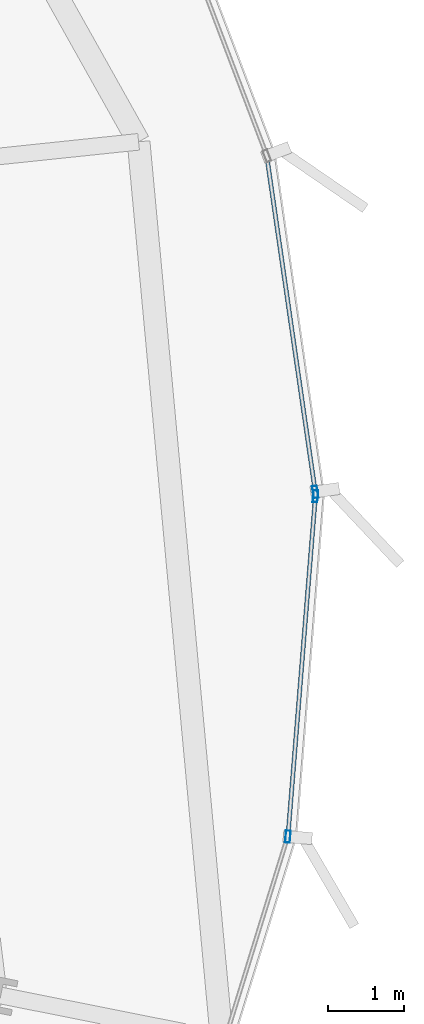
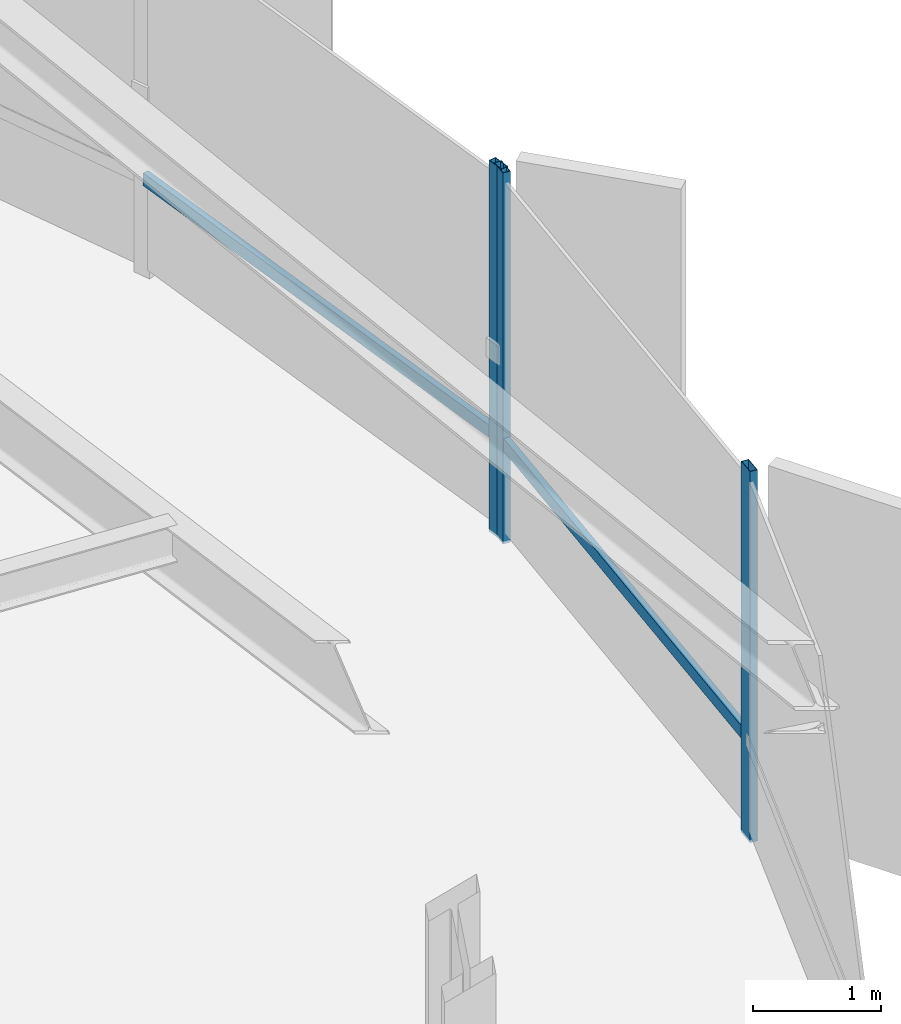
# One storey, part 32 of 42: 5 members, 2 elements without a shape of their own.
"""IFC4 building model written with IfcOpenShell, lengths in metres."""

from ifc_helpers import new_model, si_unit, direction, frame, origin, origin_2d, place, context, subcontext, project, spatial, hollow_rectangle, extrude, source, transform, mapped, material, layer, layer_set, material_profile, profile_set, type_object, element, aggregate, save


model = new_model("IFC4")

# Units and contexts
model_context = context("Model", 3, precision=1e-05, world=origin(), true_north=direction((0.0, 1.0)))
body_context = subcontext(model_context, "Body", "Model", "MODEL_VIEW")
ifc_project = project(units=[si_unit("LENGTHUNIT", "METRE"), si_unit("AREAUNIT", "SQUARE_METRE"), si_unit("VOLUMEUNIT", "CUBIC_METRE"), si_unit("PLANEANGLEUNIT", "RADIAN"), si_unit("MASSUNIT", "GRAM", prefix="KILO"), si_unit("THERMODYNAMICTEMPERATUREUNIT", "KELVIN")], contexts=[model_context])

# Site, building, storey
site_placement = place(None, origin())
site = spatial("IfcSite", under=ifc_project, at=site_placement, CompositionType="ELEMENT")
building_placement = place(site_placement, origin())
building = spatial("IfcBuilding", under=site, at=building_placement, Name="Kethvar Cultural Tower", CompositionType="ELEMENT")
storey_placement = place(building_placement, frame((0.0, 0.0, 37.199951171875)))
storey = spatial("IfcBuildingStorey", under=building, at=storey_placement, Name="L08", CompositionType="ELEMENT", Elevation=37.199951171875)

# Curtain wall, member
ifc_material = material(Name="Aluminium 6063-T6", Category="aluminium")
ifc_layer = layer(ifc_material, 0.179931640625, Name="Aluminium 6063-T6", Category="aluminium")
ifc_layer_set = layer_set([ifc_layer], Name="Aluminium 6063-T6 (180 mm)")
curtain_wall_type = type_object("IfcCurtainWallType", Name="CW-SYS-02-Z1", PredefinedType="NOTDEFINED", material=ifc_layer_set)
curtain_wall_1_placement = place(storey_placement, origin())
curtain_wall_1 = element("IfcCurtainWall", 1, at=curtain_wall_1_placement, inside=storey, type_object=curtain_wall_type, Name="L08 Curtain Wall Run 01", PredefinedType="NOTDEFINED")
ifc_material_profile_1 = material_profile(ifc_material, hollow_rectangle(XDim=0.06494140625, YDim=0.159912109375, WallThickness=0.0048828125, at=origin_2d()), Name="Aluminium 6063-T6 — RHS160x65x5")
ifc_profile_set_1 = profile_set([ifc_material_profile_1], Name="Aluminium 6063-T6 — RHS160x65x5")
member_type_1 = type_object("IfcMemberType", Name="CW-SYS-02-Z1-MUL", PredefinedType="MULLION", material=ifc_profile_set_1)
shared_shape_1 = source(origin(), body_context, "Body", "SweptSolid", [
    extrude(hollow_rectangle(XDim=0.06494140625, YDim=0.159912109375, WallThickness=0.0048828125, at=origin_2d()), origin(), (0.0, 0.0, 1.0), 3.550048828125),
])
member_1_placement = place(storey_placement, frame((79.17578125, 28.84619140625, 0.0), z_axis=(0.0, 0.0, 1.0), x_axis=(-0.989723888193, -0.142991696053, 0.0)))
member_1 = element("IfcMember", 2, at=member_1_placement, type_object=member_type_1, Name="CW-L08-R01 Mullion 1", PredefinedType="MULLION", context=body_context, shape_type="MappedRepresentation", body=[
    mapped(shared_shape_1, transform((0.0, 0.0, 0.0), scale=1.0)),
])

# Curtain wall, members
curtain_wall_2_placement = place(storey_placement, origin())
curtain_wall_2 = element("IfcCurtainWall", 3, at=curtain_wall_2_placement, inside=storey, type_object=curtain_wall_type, Name="L08 Curtain Wall Run 06", PredefinedType="NOTDEFINED")
member_2_placement = place(storey_placement, frame((78.813720703125, 24.2880859375, 0.0), z_axis=(0.0, 0.0, 1.0), x_axis=(-0.996749417064, 0.080564257474, 0.0)))
member_2 = element("IfcMember", 4, at=member_2_placement, type_object=member_type_1, Name="CW-L08-R06 Mullion 6", PredefinedType="MULLION", context=body_context, shape_type="MappedRepresentation", body=[
    mapped(shared_shape_1, transform((0.0, 0.0, 0.0), scale=1.0)),
])
member_3_placement = place(storey_placement, frame((79.177490234375, 28.7890625, 0.0), z_axis=(0.0, 0.0, 1.0), x_axis=(-0.996749417064, 0.080564257474, 0.0)))
member_3 = element("IfcMember", 5, at=member_3_placement, type_object=member_type_1, Name="CW-L08-R06 Mullion 7", PredefinedType="MULLION", context=body_context, shape_type="MappedRepresentation", body=[
    mapped(shared_shape_1, transform((0.0, 0.0, 0.0), scale=1.0)),
])

# Member
ifc_material_profile_2 = material_profile(ifc_material, hollow_rectangle(XDim=0.054931640625, YDim=0.1201171875, WallThickness=0.00390625, at=origin_2d()), Name="Aluminium 6063-T6 — RHS120x55x4")
ifc_profile_set_2 = profile_set([ifc_material_profile_2], Name="Aluminium 6063-T6 — RHS120x55x4")
member_type_2 = type_object("IfcMemberType", Name="CW-SYS-02-Z1-TRN", PredefinedType="USERDEFINED", material=ifc_profile_set_2)
shared_shape_2 = source(origin(), body_context, "Body", "SweptSolid", [
    extrude(hollow_rectangle(XDim=0.054931640625, YDim=0.1201171875, WallThickness=0.00390625, at=origin_2d()), origin(), (0.0, 0.0, 1.0), 4.464111328125),
])
member_4_placement = place(storey_placement, frame((79.175048828125, 28.8505859375, 0.949951171875), z_axis=(-0.142960167406, 0.989728442824, 0.0), x_axis=(-0.989728442824, -0.142960167406, 0.0)))
member_4 = element("IfcMember", 6, at=member_4_placement, type_object=member_type_2, Name="CW-L08-R01 Transom 1", ObjectType="TRANSOM", PredefinedType="USERDEFINED", context=body_context, shape_type="MappedRepresentation", body=[
    mapped(shared_shape_2, transform((0.0, 0.0, 0.0), scale=1.0)),
])

aggregate(curtain_wall_1, [member_1, member_4])

member_5_placement = place(storey_placement, frame((78.817626953125, 24.334716796875, 0.949951171875), z_axis=(0.080555957395, 0.9967500879, 0.0), x_axis=(-0.9967500879, 0.080555957395, 0.0)))
member_5 = element("IfcMember", 7, at=member_5_placement, type_object=member_type_2, Name="CW-L08-R06 Transom 6", ObjectType="TRANSOM", PredefinedType="USERDEFINED", context=body_context, shape_type="MappedRepresentation", body=[
    mapped(shared_shape_2, transform((0.0, 0.0, 0.0), scale=1.0)),
])

aggregate(curtain_wall_2, [member_2, member_3, member_5])

save(model, "model.ifc")
